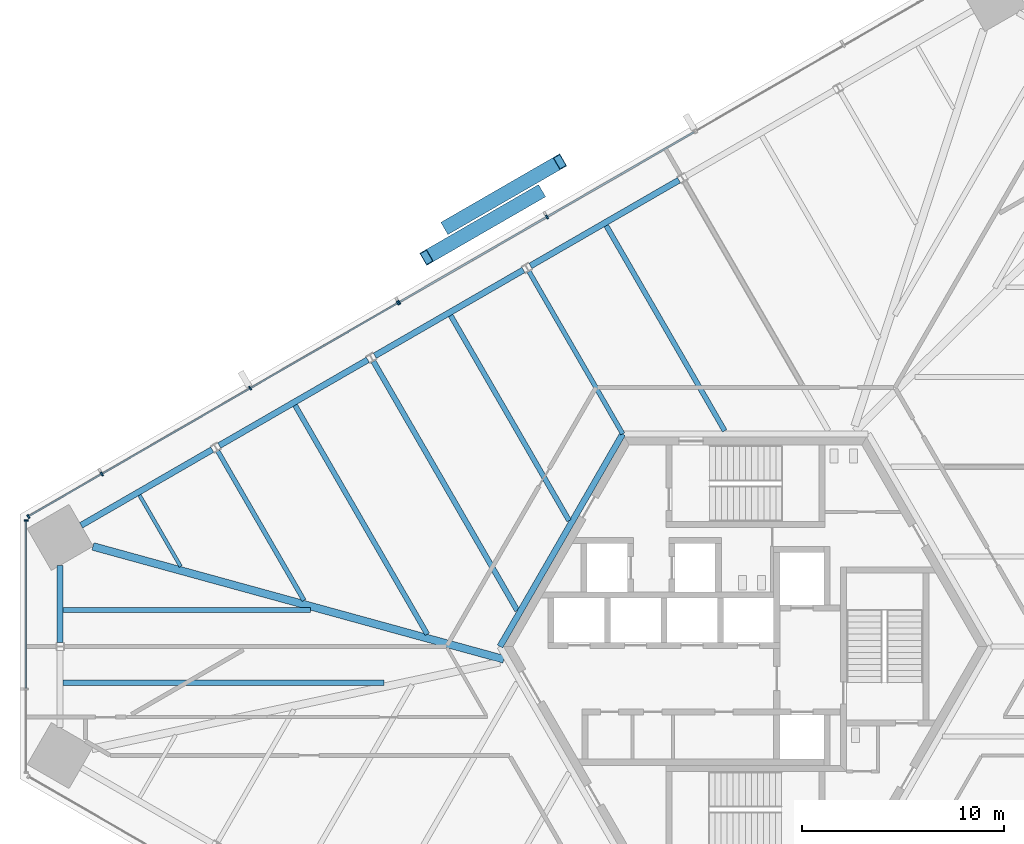
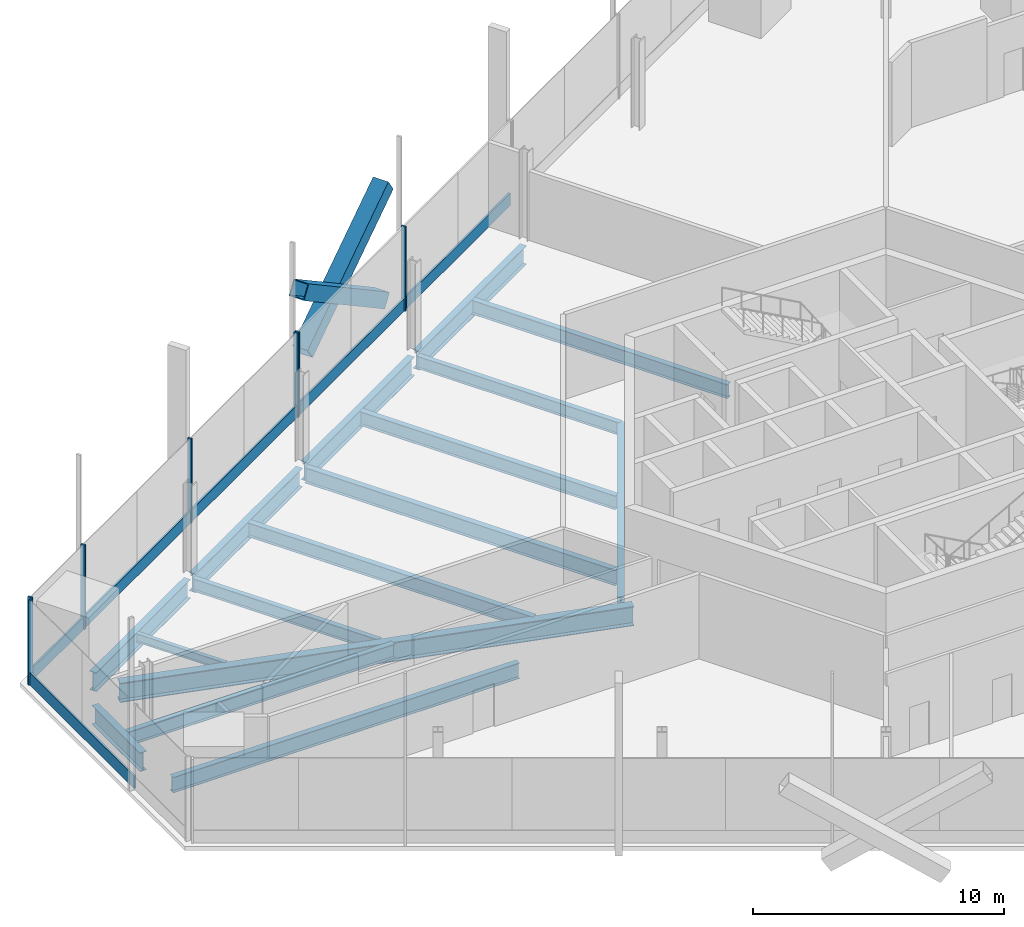
# One storey, part 5 of 18: 16 beams, 15 members, 3 elements without a shape of their own.
"""IFC4 building model written with IfcOpenShell, lengths in metres."""

from ifc_helpers import new_model, si_unit, direction, frame, origin, origin_2d, place, context, subcontext, project, spatial, rectangle, hollow_rectangle, i_section, extrude, source, transform, mapped, material, material_profile, profile_set, type_object, element, aggregate, save


model = new_model("IFC4")

# Units and contexts
model_context = context("Model", 3, precision=1e-05, world=origin(), true_north=direction((0.0, 1.0)))
body_context = subcontext(model_context, "Body", "Model", "MODEL_VIEW")
ifc_project = project(units=[si_unit("LENGTHUNIT", "METRE"), si_unit("AREAUNIT", "SQUARE_METRE"), si_unit("VOLUMEUNIT", "CUBIC_METRE"), si_unit("PLANEANGLEUNIT", "RADIAN"), si_unit("MASSUNIT", "GRAM", prefix="KILO")], contexts=[model_context])

# Site, building, storey
site_placement = place(None, origin())
site = spatial("IfcSite", under=ifc_project, at=site_placement, CompositionType="ELEMENT")
building_placement = place(site_placement, origin())
building = spatial("IfcBuilding", under=site, at=building_placement, Name="Triune Harvest Tower", CompositionType="ELEMENT")
storey_placement = place(building_placement, frame((0.0, 0.0, 33.199951171875)))
storey = spatial("IfcBuildingStorey", under=building, at=storey_placement, Name="L07", CompositionType="ELEMENT", Elevation=33.199951171875)

# Beams
ifc_material_1 = material(Name="Steel ASTM A992 Gr 50", Category="steel")
ifc_material_profile_1 = material_profile(ifc_material_1, i_section(OverallWidth=0.3046875, OverallDepth=0.914306640625, WebThickness=0.0166015625, FlangeThickness=0.02587890625, at=origin_2d()), Name="W36x160")
ifc_profile_set_1 = profile_set([ifc_material_profile_1], Name="Steel ASTM A992 Gr 50")
beam_type_1 = type_object("IfcBeamType", Name="CG-1 Core ring girder W36x160", PredefinedType="BEAM", material=ifc_profile_set_1)
shared_shape_1 = source(origin(), body_context, "Body", "SweptSolid", [
    extrude(i_section(OverallWidth=0.3046875, OverallDepth=0.914306640625, WebThickness=0.0166015625, FlangeThickness=0.02587890625, at=origin_2d()), origin(), (0.0, 0.0, 1.0), 12.176025390625),
])
beam_1_placement = place(storey_placement, frame((-6.087890625, 10.544677734375, -0.6572265625), z_axis=(-0.5000099932, -0.866019634131, 0.0), x_axis=(0.866019634131, -0.5000099932, 0.0)))
element("IfcBeam", 1, at=beam_1_placement, inside=storey, type_object=beam_type_1, Name="beam/L07/CG3", PredefinedType="BEAM", context=body_context, shape_type="MappedRepresentation", body=[
    mapped(shared_shape_1, transform((0.0, 0.0, 0.0), scale=1.0)),
])
ifc_material_2 = material(Name="Steel ASTM A992 Gr 50", Category="steel")
ifc_material_profile_2 = material_profile(ifc_material_2, i_section(OverallWidth=0.383544921875, OverallDepth=0.9423828125, WebThickness=0.022216796875, FlangeThickness=0.039794921875, at=origin_2d()), Name="W36x232")
ifc_profile_set_2 = profile_set([ifc_material_profile_2], Name="Steel ASTM A992 Gr 50")
beam_type_2 = type_object("IfcBeamType", Name="HG-1 Hip girder W36x232", PredefinedType="BEAM", material=ifc_profile_set_2)
shared_shape_2 = source(origin(), body_context, "Body", "SweptSolid", [
    extrude(i_section(OverallWidth=0.383544921875, OverallDepth=0.9423828125, WebThickness=0.022216796875, FlangeThickness=0.039794921875, at=origin_2d()), origin(), (0.0, 0.0, 1.0), 21.13232421875),
])
beam_2_placement = place(storey_placement, frame((-32.3623046875, 4.963134765625, -0.671142578125), z_axis=(0.964269976316, -0.264921521918, 0.0), x_axis=(0.264921521918, 0.964269976316, 0.0)))
element("IfcBeam", 2, at=beam_2_placement, inside=storey, type_object=beam_type_2, Name="beam/L07/HG4", PredefinedType="BEAM", context=body_context, shape_type="MappedRepresentation", body=[
    mapped(shared_shape_2, transform((0.0, 0.0, 0.0), scale=1.0)),
])
ifc_material_3 = material(Name="Steel ASTM A992 Gr 50", Category="steel")
ifc_material_profile_3 = material_profile(ifc_material_3, i_section(OverallWidth=0.2666015625, OverallDepth=0.7568359375, WebThickness=0.013916015625, FlangeThickness=0.019287109375, at=origin_2d()), Name="W30x108")
ifc_profile_set_3 = profile_set([ifc_material_profile_3], Name="Steel ASTM A992 Gr 50")
beam_type_3 = type_object("IfcBeamType", Name="JT-5 Floor joist W30x108", PredefinedType="JOIST", material=ifc_profile_set_3)
shared_shape_3 = source(origin(), body_context, "Body", "SweptSolid", [
    extrude(i_section(OverallWidth=0.2666015625, OverallDepth=0.7568359375, WebThickness=0.013916015625, FlangeThickness=0.019287109375, at=origin_2d()), origin(), (0.0, 0.0, 1.0), 14.2685546875),
])
beam_3_placement = place(storey_placement, frame((-18.454345703125, 14.14404296875, -0.578369140625), z_axis=(0.499987083308, -0.866032861112, 0.0), x_axis=(0.866032861112, 0.499987083308, 0.0)))
element("IfcBeam", 3, at=beam_3_placement, inside=storey, type_object=beam_type_3, Name="beam/L07/JT21", PredefinedType="JOIST", context=body_context, shape_type="MappedRepresentation", body=[
    mapped(shared_shape_3, transform((0.0, 0.0, 0.0), scale=1.0)),
])
ifc_material_4 = material(Name="Steel ASTM A992 Gr 50", Category="steel")
ifc_material_profile_4 = material_profile(ifc_material_4, i_section(OverallWidth=0.22900390625, OverallDepth=0.612060546875, WebThickness=0.011962890625, FlangeThickness=0.01953125, at=origin_2d()), Name="W24x84")
ifc_profile_set_4 = profile_set([ifc_material_profile_4], Name="Steel ASTM A992 Gr 50")
beam_type_4 = type_object("IfcBeamType", Name="JT-3 Floor joist W24x84", PredefinedType="JOIST", material=ifc_profile_set_4)
shared_shape_4 = source(origin(), body_context, "Body", "SweptSolid", [
    extrude(i_section(OverallWidth=0.22900390625, OverallDepth=0.612060546875, WebThickness=0.011962890625, FlangeThickness=0.01953125, at=origin_2d()), origin(), (0.0, 0.0, 1.0), 8.54736328125),
])
beam_4_placement = place(storey_placement, frame((-26.170654296875, 9.68896484375, -0.506103515625), z_axis=(0.500006795031, -0.866021480636, 0.0), x_axis=(0.866021480636, 0.500006795031, 0.0)))
element("IfcBeam", 4, at=beam_4_placement, inside=storey, type_object=beam_type_4, Name="beam/L07/JT23", PredefinedType="JOIST", context=body_context, shape_type="MappedRepresentation", body=[
    mapped(shared_shape_4, transform((0.0, 0.0, 0.0), scale=1.0)),
])
shared_shape_5 = source(origin(), body_context, "Body", "SweptSolid", [
    extrude(i_section(OverallWidth=0.22900390625, OverallDepth=0.612060546875, WebThickness=0.011962890625, FlangeThickness=0.01953125, at=origin_2d()), origin(), (0.0, 0.0, 1.0), 9.300537109375),
])
beam_5_placement = place(storey_placement, frame((-10.738037109375, 18.59912109375, -0.506103515625), z_axis=(0.49999285859, -0.86602952684, 0.0), x_axis=(0.86602952684, 0.49999285859, 0.0)))
element("IfcBeam", 5, at=beam_5_placement, inside=storey, type_object=beam_type_4, Name="beam/L07/JT19", PredefinedType="JOIST", context=body_context, shape_type="MappedRepresentation", body=[
    mapped(shared_shape_5, transform((0.0, 0.0, 0.0), scale=1.0)),
])
ifc_material_5 = material(Name="Steel ASTM A992 Gr 50", Category="steel")
ifc_material_profile_5 = material_profile(ifc_material_5, i_section(OverallWidth=0.3046875, OverallDepth=0.914306640625, WebThickness=0.0166015625, FlangeThickness=0.02587890625, at=origin_2d()), Name="W36x160")
ifc_profile_set_5 = profile_set([ifc_material_profile_5], Name="Steel ASTM A992 Gr 50")
beam_type_5 = type_object("IfcBeamType", Name="SB-1 Spandrel beam W36x160", PredefinedType="SPANDREL", material=ifc_profile_set_5)
shared_shape_6 = source(origin(), body_context, "Body", "SweptSolid", [
    extrude(i_section(OverallWidth=0.3046875, OverallDepth=0.914306640625, WebThickness=0.0166015625, FlangeThickness=0.02587890625, at=origin_2d()), origin(), (0.0, 0.0, 1.0), 7.508056640625),
])
beam_6_placement = place(storey_placement, frame((-26.447265625, 9.763916015625, -0.6572265625), z_axis=(-0.866033425553, -0.499986105632, 0.0), x_axis=(0.499986105632, -0.866033425553, 0.0)))
element("IfcBeam", 6, at=beam_6_placement, inside=storey, type_object=beam_type_5, Name="beam/L07/SB14", PredefinedType="SPANDREL", context=body_context, shape_type="MappedRepresentation", body=[
    mapped(shared_shape_6, transform((0.0, 0.0, 0.0), scale=1.0)),
])
shared_shape_7 = source(origin(), body_context, "Body", "SweptSolid", [
    extrude(i_section(OverallWidth=0.3046875, OverallDepth=0.914306640625, WebThickness=0.0166015625, FlangeThickness=0.02587890625, at=origin_2d()), origin(), (0.0, 0.0, 1.0), 8.506103515625),
])
for number, where, z_axis, x_axis, name in (
    (7, (-3.29833984375, 23.12890625, -0.6572265625), (-0.866030246746, -0.49999161165, 0.0), (0.49999161165, -0.866030246746, 0.0), "beam/L07/SB11"),
    (8, (-11.0146484375, 18.674072265625, -0.6572265625), (-0.866017818397, -0.500013138047, 0.0), (0.500013138047, -0.866017818397, 0.0), "beam/L07/SB12"),
    (9, (-18.73095703125, 14.218994140625, -0.6572265625), (-0.866030246746, -0.49999161165, 0.0), (0.49999161165, -0.866030246746, 0.0), "beam/L07/SB13"),
):
    element("IfcBeam", number, at=place(storey_placement, frame(where, z_axis=z_axis, x_axis=x_axis)), inside=storey, type_object=beam_type_5, Name=name, PredefinedType="SPANDREL", context=body_context, shape_type="MappedRepresentation", body=[
        mapped(shared_shape_7, transform((0.0, 0.0, 0.0), scale=1.0)),
    ])
shared_shape_8 = source(origin(), body_context, "Body", "SweptSolid", [
    extrude(i_section(OverallWidth=0.3046875, OverallDepth=0.914306640625, WebThickness=0.0166015625, FlangeThickness=0.02587890625, at=origin_2d()), origin(), (0.0, 0.0, 1.0), 3.822509765625),
])
beam_7_placement = place(storey_placement, frame((-33.988525390625, 4.0244140625, -0.6572265625), z_axis=(0.0, -1.0, 0.0), x_axis=(1.0, 0.0, 0.0)))
element("IfcBeam", 10, at=beam_7_placement, inside=storey, type_object=beam_type_5, Name="beam/L07/SB15", PredefinedType="SPANDREL", context=body_context, shape_type="MappedRepresentation", body=[
    mapped(shared_shape_8, transform((0.0, 0.0, 0.0), scale=1.0)),
])
ifc_material_6 = material(Name="Steel ASTM A992 Gr 50", Category="steel")
ifc_material_profile_6 = material_profile(ifc_material_6, i_section(OverallWidth=0.180908203125, OverallDepth=0.41650390625, WebThickness=0.010986328125, FlangeThickness=0.01806640625, at=origin_2d()), Name="W16x57")
ifc_profile_set_6 = profile_set([ifc_material_profile_6], Name="Steel ASTM A992 Gr 50")
beam_type_6 = type_object("IfcBeamType", Name="JT-1 Floor joist W16x57", PredefinedType="JOIST", material=ifc_profile_set_6)
shared_shape_9 = source(origin(), body_context, "Body", "SweptSolid", [
    extrude(i_section(OverallWidth=0.180908203125, OverallDepth=0.41650390625, WebThickness=0.010986328125, FlangeThickness=0.01806640625, at=origin_2d()), origin(), (0.0, 0.0, 1.0), 4.08642578125),
])
beam_8_placement = place(storey_placement, frame((-30.05419921875, 7.505615234375, -0.408203125), z_axis=(0.49998792433, -0.866032375563, 0.0), x_axis=(0.866032375563, 0.49998792433, 0.0)))
element("IfcBeam", 11, at=beam_8_placement, inside=storey, type_object=beam_type_6, Name="beam/L07/JT24", PredefinedType="JOIST", context=body_context, shape_type="MappedRepresentation", body=[
    mapped(shared_shape_9, transform((0.0, 0.0, 0.0), scale=1.0)),
])
ifc_material_7 = material(Name="Steel ASTM A992 Gr 50", Category="steel")
ifc_material_profile_7 = material_profile(ifc_material_7, i_section(OverallWidth=0.253662109375, OverallDepth=0.683349609375, WebThickness=0.012451171875, FlangeThickness=0.01904296875, at=origin_2d()), Name="W27x94")
ifc_profile_set_7 = profile_set([ifc_material_profile_7], Name="Steel ASTM A992 Gr 50")
beam_type_7 = type_object("IfcBeamType", Name="JT-4 Floor joist W27x94", PredefinedType="JOIST", material=ifc_profile_set_7)
shared_shape_10 = source(origin(), body_context, "Body", "SweptSolid", [
    extrude(i_section(OverallWidth=0.253662109375, OverallDepth=0.683349609375, WebThickness=0.012451171875, FlangeThickness=0.01904296875, at=origin_2d()), origin(), (0.0, 0.0, 1.0), 12.2509765625),
])
beam_9_placement = place(storey_placement, frame((-33.836181640625, 1.80322265625, -0.54150390625), z_axis=(1.0, 0.0, 0.0), x_axis=(0.0, 1.0, 0.0)))
element("IfcBeam", 12, at=beam_9_placement, inside=storey, type_object=beam_type_7, Name="beam/L07/JT25", PredefinedType="JOIST", context=body_context, shape_type="MappedRepresentation", body=[
    mapped(shared_shape_10, transform((0.0, 0.0, 0.0), scale=1.0)),
])
shared_shape_11 = source(origin(), body_context, "Body", "SweptSolid", [
    extrude(i_section(OverallWidth=0.2666015625, OverallDepth=0.7568359375, WebThickness=0.013916015625, FlangeThickness=0.019287109375, at=origin_2d()), origin(), (0.0, 0.0, 1.0), 15.90771484375),
])
beam_10_placement = place(storey_placement, frame((-33.836181640625, -1.80322265625, -0.578369140625), z_axis=(1.0, 0.0, 0.0), x_axis=(0.0, 1.0, 0.0)))
element("IfcBeam", 13, at=beam_10_placement, inside=storey, type_object=beam_type_3, Name="beam/L07/JT26", PredefinedType="JOIST", context=body_context, shape_type="MappedRepresentation", body=[
    mapped(shared_shape_11, transform((0.0, 0.0, 0.0), scale=1.0)),
])
shared_shape_12 = source(origin(), body_context, "Body", "SweptSolid", [
    extrude(i_section(OverallWidth=0.253662109375, OverallDepth=0.683349609375, WebThickness=0.012451171875, FlangeThickness=0.01904296875, at=origin_2d()), origin(), (0.0, 0.0, 1.0), 11.74755859375),
])
beam_11_placement = place(storey_placement, frame((-6.905517578125, 20.87060546875, -0.54150390625), z_axis=(0.500003693016, -0.86602327161, 0.0), x_axis=(0.86602327161, 0.500003693016, 0.0)))
element("IfcBeam", 14, at=beam_11_placement, inside=storey, type_object=beam_type_7, Name="beam/L07/JT18", PredefinedType="JOIST", context=body_context, shape_type="MappedRepresentation", body=[
    mapped(shared_shape_12, transform((0.0, 0.0, 0.0), scale=1.0)),
])
shared_shape_13 = source(origin(), body_context, "Body", "SweptSolid", [
    extrude(i_section(OverallWidth=0.253662109375, OverallDepth=0.683349609375, WebThickness=0.012451171875, FlangeThickness=0.01904296875, at=origin_2d()), origin(), (0.0, 0.0, 1.0), 11.7470703125),
])
beam_12_placement = place(storey_placement, frame((-14.62158203125, 16.41552734375, -0.54150390625), z_axis=(0.49999710518, -0.866027075103, 0.0), x_axis=(0.866027075103, 0.49999710518, 0.0)))
element("IfcBeam", 15, at=beam_12_placement, inside=storey, type_object=beam_type_7, Name="beam/L07/JT20", PredefinedType="JOIST", context=body_context, shape_type="MappedRepresentation", body=[
    mapped(shared_shape_13, transform((0.0, 0.0, 0.0), scale=1.0)),
])
shared_shape_14 = source(origin(), body_context, "Body", "SweptSolid", [
    extrude(i_section(OverallWidth=0.253662109375, OverallDepth=0.683349609375, WebThickness=0.012451171875, FlangeThickness=0.01904296875, at=origin_2d()), origin(), (0.0, 0.0, 1.0), 13.10986328125),
])
beam_13_placement = place(storey_placement, frame((-22.337890625, 11.96044921875, -0.54150390625), z_axis=(0.499998646344, -0.866026185317, 0.0), x_axis=(0.866026185317, 0.499998646344, 0.0)))
element("IfcBeam", 16, at=beam_13_placement, inside=storey, type_object=beam_type_7, Name="beam/L07/JT22", PredefinedType="JOIST", context=body_context, shape_type="MappedRepresentation", body=[
    mapped(shared_shape_14, transform((0.0, 0.0, 0.0), scale=1.0)),
])

# Members
ifc_material_8 = material(Name="Steel ASTM A572 Gr 50", Category="steel")
ifc_material_profile_8 = material_profile(ifc_material_8, hollow_rectangle(XDim=0.699951171875, YDim=0.699951171875, WallThickness=0.0400390625, at=origin_2d()), Name="Box 700x700x40")
ifc_profile_set_8 = profile_set([ifc_material_profile_8], Name="Steel ASTM A572 Gr 50")
member_type_1 = type_object("IfcMemberType", Name="BR-1 Brace Box 700x700x40", PredefinedType="BRACE", material=ifc_profile_set_8)
shared_shape_15 = source(origin(), body_context, "Body", "SweptSolid", [
    extrude(hollow_rectangle(XDim=0.699951171875, YDim=0.699951171875, WallThickness=0.0400390625, at=origin_2d()), origin(), (0.0, 0.0, 1.0), 7.728515625),
])
for number, where, z_axis, x_axis, name in (
    (17, (-10.256591796875, 22.5087890625, 0.0), (-0.719604017031, -0.415462336786, 0.556382157681), (0.499998884236, -0.86602604797, 0.0), "brace/B1-F3/d1/5"),
    (18, (-14.764892578125, 20.82958984375, 0.0), (0.719604017031, 0.415462336786, 0.556382157681), (-0.499998884236, 0.86602604797, 0.0), "brace/B1-F3/d2/5"),
):
    element("IfcMember", number, at=place(storey_placement, frame(where, z_axis=z_axis, x_axis=x_axis)), inside=storey, type_object=member_type_1, Name=name, PredefinedType="BRACE", context=body_context, shape_type="MappedRepresentation", body=[
        mapped(shared_shape_15, transform((0.0, 0.0, 0.0), scale=1.0)),
    ])

# Curtain wall, members
ifc_material_9 = material(Name="Aluminium bronze anodised", Category="aluminium")
curtain_wall_type_1 = type_object("IfcCurtainWallType", Name="CW-8 Farm floor curtain wall with insulated spandrel infill", PredefinedType="NOTDEFINED", material=ifc_material_9)
curtain_wall_1_placement = place(storey_placement, origin())
curtain_wall_1 = element("IfcCurtainWall", 19, at=curtain_wall_1_placement, inside=storey, type_object=curtain_wall_type_1, Name="CW-8 B1-F3 L07 run 1001")
ifc_material_10 = material(Name="Aluminium bronze anodised", Category="aluminium")
ifc_material_profile_9 = material_profile(ifc_material_10, rectangle(XDim=0.199951171875, YDim=0.080078125, at=origin_2d()), Name="MU-3 mullion 80 x 200")
ifc_profile_set_9 = profile_set([ifc_material_profile_9], Name="Aluminium bronze anodised")
member_type_2 = type_object("IfcMemberType", Name="MU-3 mullion 80 x 200", PredefinedType="MULLION", material=ifc_profile_set_9)
shared_shape_16 = source(origin(), body_context, "Body", "SweptSolid", [
    extrude(rectangle(XDim=0.199951171875, YDim=0.080078125, at=origin_2d()), origin(), (0.0, 0.0, 1.0), 4.10009765625),
])
member_1_placement = place(storey_placement, frame((-9.845947265625, 21.30224609375, 0.0), z_axis=(0.0, 0.0, 1.0), x_axis=(0.500000044272, -0.866025378224, 0.0)))
member_1 = element("IfcMember", 20, at=member_1_placement, type_object=member_type_2, Name="CW-8 mullion B1-F3 1001.3", PredefinedType="MULLION", context=body_context, shape_type="MappedRepresentation", body=[
    mapped(shared_shape_16, transform((0.0, 0.0, 0.0), scale=1.0)),
])
member_2_placement = place(storey_placement, frame((-17.17041015625, 17.073486328125, 0.0), z_axis=(0.0, 0.0, 1.0), x_axis=(0.500000044272, -0.866025378224, 0.0)))
member_2 = element("IfcMember", 21, at=member_2_placement, type_object=member_type_2, Name="CW-8 mullion B1-F3 1001.5", PredefinedType="MULLION", context=body_context, shape_type="MappedRepresentation", body=[
    mapped(shared_shape_16, transform((0.0, 0.0, 0.0), scale=1.0)),
])

ifc_material_11 = material(Name="Aluminium bronze anodised", Category="aluminium")
curtain_wall_type_2 = type_object("IfcCurtainWallType", Name="CW-3 Farm floor curtain wall", PredefinedType="NOTDEFINED", material=ifc_material_11)
curtain_wall_2_placement = place(storey_placement, origin())
curtain_wall_2 = element("IfcCurtainWall", 22, at=curtain_wall_2_placement, inside=storey, type_object=curtain_wall_type_2, Name="CW-3 B1-F3 L07 run 2001")
member_3_placement = place(storey_placement, frame((-17.23974609375, 17.03369140625, 0.0), z_axis=(0.0, 0.0, 1.0), x_axis=(0.499998768415, -0.866026114839, 0.0)))
member_3 = element("IfcMember", 23, at=member_3_placement, type_object=member_type_2, Name="CW-3 mullion B1-F3 2001.1", PredefinedType="MULLION", context=body_context, shape_type="MappedRepresentation", body=[
    mapped(shared_shape_16, transform((0.0, 0.0, 0.0), scale=1.0)),
])
member_4_placement = place(storey_placement, frame((-24.56396484375, 12.804931640625, 0.0), z_axis=(0.0, 0.0, 1.0), x_axis=(0.499998768415, -0.866026114839, 0.0)))
member_4 = element("IfcMember", 24, at=member_4_placement, type_object=member_type_2, Name="CW-3 mullion B1-F3 2001.3", PredefinedType="MULLION", context=body_context, shape_type="MappedRepresentation", body=[
    mapped(shared_shape_16, transform((0.0, 0.0, 0.0), scale=1.0)),
])
member_5_placement = place(storey_placement, frame((-31.923095703125, 8.55615234375, 0.0), z_axis=(0.0, 0.0, 1.0), x_axis=(0.499998768415, -0.866026114839, 0.0)))
member_5 = element("IfcMember", 25, at=member_5_placement, type_object=member_type_2, Name="CW-3 mullion B1-F3 2001.5", PredefinedType="MULLION", context=body_context, shape_type="MappedRepresentation", body=[
    mapped(shared_shape_16, transform((0.0, 0.0, 0.0), scale=1.0)),
])
member_6_placement = place(storey_placement, frame((-35.56787109375, 6.451904296875, 0.0), z_axis=(0.0, 0.0, 1.0), x_axis=(0.499998768415, -0.866026114839, 0.0)))
member_6 = element("IfcMember", 26, at=member_6_placement, type_object=member_type_2, Name="CW-3 mullion B1-F3 2001.6", PredefinedType="MULLION", context=body_context, shape_type="MappedRepresentation", body=[
    mapped(shared_shape_16, transform((0.0, 0.0, 0.0), scale=1.0)),
])

curtain_wall_3_placement = place(storey_placement, origin())
curtain_wall_3 = element("IfcCurtainWall", 27, at=curtain_wall_3_placement, inside=storey, type_object=curtain_wall_type_2, Name="CW-3 B1-F4 L07 run 1")
member_7_placement = place(storey_placement, frame((-35.680419921875, 6.2568359375, 0.0), z_axis=(0.0, 0.0, 1.0), x_axis=(1.0, 0.0, 0.0)))
member_7 = element("IfcMember", 28, at=member_7_placement, type_object=member_type_2, Name="CW-3 mullion B1-F4 1.1", PredefinedType="MULLION", context=body_context, shape_type="MappedRepresentation", body=[
    mapped(shared_shape_16, transform((0.0, 0.0, 0.0), scale=1.0)),
])
ifc_material_12 = material(Name="Aluminium bronze anodised", Category="aluminium")
ifc_material_profile_10 = material_profile(ifc_material_12, rectangle(XDim=0.090087890625, YDim=0.60009765625, at=origin_2d()), Name="TR-3 transom 90 x 600")
ifc_profile_set_10 = profile_set([ifc_material_profile_10], Name="Aluminium bronze anodised")
member_type_3 = type_object("IfcMemberType", Name="TR-3 transom 90 x 600", PredefinedType="USERDEFINED", material=ifc_profile_set_10)
shared_shape_17 = source(origin(), body_context, "Body", "SweptSolid", [
    extrude(rectangle(XDim=0.090087890625, YDim=0.60009765625, at=origin_2d()), origin(), (0.0, 0.0, 1.0), 8.275634765625),
])
member_8_placement = place(storey_placement, frame((-35.680419921875, 6.216796875, 0.300048828125), z_axis=(0.0, -1.0, 0.0), x_axis=(1.0, 0.0, 0.0)))
member_8 = element("IfcMember", 29, at=member_8_placement, type_object=member_type_3, Name="CW-3 transom B1-F4 1.1", ObjectType="TRANSOM", PredefinedType="USERDEFINED", context=body_context, shape_type="MappedRepresentation", body=[
    mapped(shared_shape_17, transform((0.0, 0.0, 0.0), scale=1.0)),
])
aggregate(curtain_wall_3, [member_7, member_8])

# Member
shared_shape_18 = source(origin(), body_context, "Body", "SweptSolid", [
    extrude(rectangle(XDim=0.090087890625, YDim=0.60009765625, at=origin_2d()), origin(), (0.0, 0.0, 1.0), 8.37744140625),
])
member_9_placement = place(storey_placement, frame((-2.55615234375, 25.510986328125, 0.300048828125), z_axis=(-0.866026892193, -0.499997421992, 0.0), x_axis=(0.499997421992, -0.866026892193, 0.0)))
member_9 = element("IfcMember", 30, at=member_9_placement, type_object=member_type_3, Name="CW-8 transom B1-F3 1001.1", ObjectType="TRANSOM", PredefinedType="USERDEFINED", context=body_context, shape_type="MappedRepresentation", body=[
    mapped(shared_shape_18, transform((0.0, 0.0, 0.0), scale=1.0)),
])

member_10_placement = place(storey_placement, frame((-17.274169921875, 17.013671875, 0.300048828125), z_axis=(-0.866026892193, -0.499997421992, 0.0), x_axis=(0.499997421992, -0.866026892193, 0.0)))
member_10 = element("IfcMember", 31, at=member_10_placement, type_object=member_type_3, Name="CW-3 transom B1-F3 2001.1", ObjectType="TRANSOM", PredefinedType="USERDEFINED", context=body_context, shape_type="MappedRepresentation", body=[
    mapped(shared_shape_18, transform((0.0, 0.0, 0.0), scale=1.0)),
])

shared_shape_19 = source(origin(), body_context, "Body", "SweptSolid", [
    extrude(rectangle(XDim=0.090087890625, YDim=0.60009765625, at=origin_2d()), origin(), (0.0, 0.0, 1.0), 8.41748046875),
])
member_11_placement = place(storey_placement, frame((-24.5986328125, 12.784912109375, 0.300048828125), z_axis=(-0.866026680883, -0.499997787995, 0.0), x_axis=(0.499997787995, -0.866026680883, 0.0)))
member_11 = element("IfcMember", 32, at=member_11_placement, type_object=member_type_3, Name="CW-3 transom B1-F3 2001.2", ObjectType="TRANSOM", PredefinedType="USERDEFINED", context=body_context, shape_type="MappedRepresentation", body=[
    mapped(shared_shape_19, transform((0.0, 0.0, 0.0), scale=1.0)),
])

shared_shape_20 = source(origin(), body_context, "Body", "SweptSolid", [
    extrude(rectangle(XDim=0.090087890625, YDim=0.60009765625, at=origin_2d()), origin(), (0.0, 0.0, 1.0), 4.128662109375),
])
member_12_placement = place(storey_placement, frame((-31.957763671875, 8.5361328125, 0.300048828125), z_axis=(-0.86600734348, -0.500031280059, 0.0), x_axis=(0.500031280059, -0.86600734348, 0.0)))
member_12 = element("IfcMember", 33, at=member_12_placement, type_object=member_type_3, Name="CW-3 transom B1-F3 2001.3", ObjectType="TRANSOM", PredefinedType="USERDEFINED", context=body_context, shape_type="MappedRepresentation", body=[
    mapped(shared_shape_20, transform((0.0, 0.0, 0.0), scale=1.0)),
])

aggregate(curtain_wall_2, [member_3, member_4, member_5, member_6, member_10, member_11, member_12])

shared_shape_21 = source(origin(), body_context, "Body", "SweptSolid", [
    extrude(rectangle(XDim=0.090087890625, YDim=0.60009765625, at=origin_2d()), origin(), (0.0, 0.0, 1.0), 8.377685546875),
])
member_13_placement = place(storey_placement, frame((-9.880615234375, 21.282470703125, 0.300048828125), z_axis=(-0.866014273083, -0.500019278445, 0.0), x_axis=(0.500019278445, -0.866014273083, 0.0)))
member_13 = element("IfcMember", 34, at=member_13_placement, type_object=member_type_3, Name="CW-8 transom B1-F3 1001.2", ObjectType="TRANSOM", PredefinedType="USERDEFINED", context=body_context, shape_type="MappedRepresentation", body=[
    mapped(shared_shape_21, transform((0.0, 0.0, 0.0), scale=1.0)),
])

aggregate(curtain_wall_1, [member_1, member_2, member_9, member_13])

save(model, "model.ifc")
